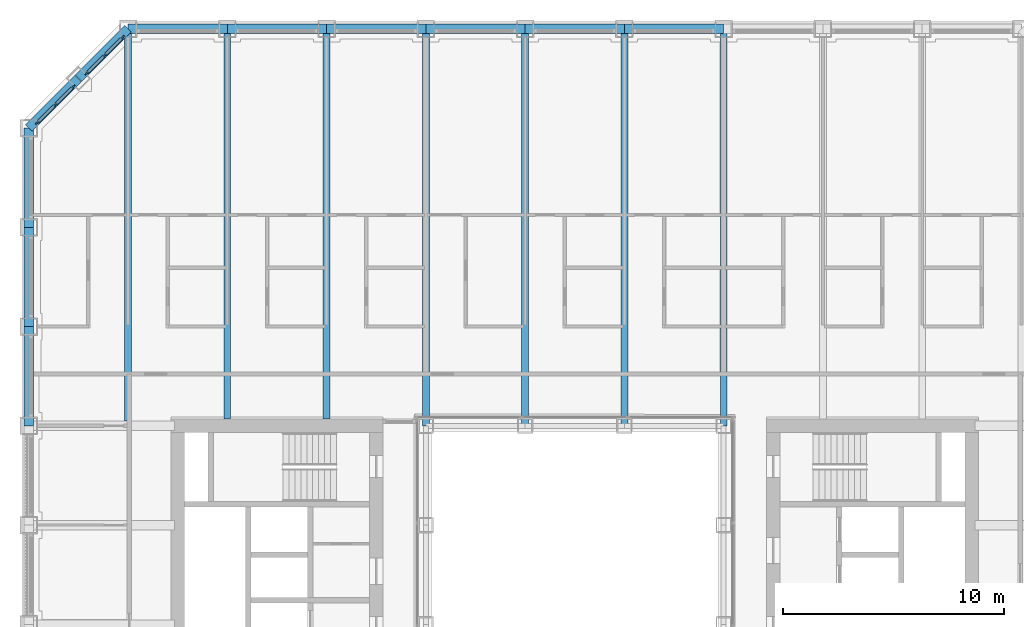
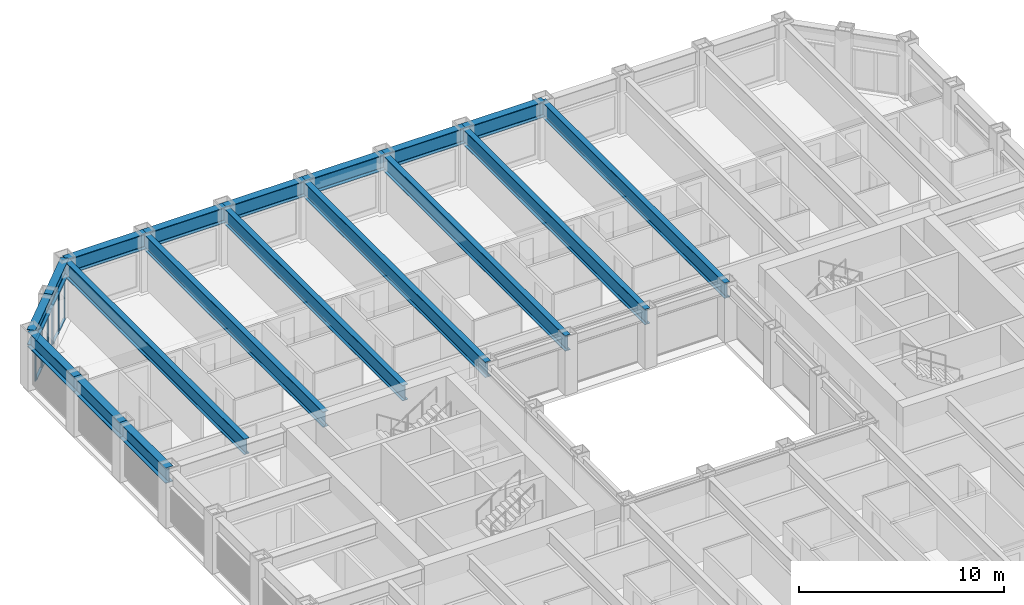
# One storey, part 6 of 21: 18 beams, 14 members, 2 elements without a shape of their own.
"""IFC4 building model written with IfcOpenShell, lengths in metres."""

from ifc_helpers import new_model, si_unit, direction, frame, origin, origin_2d, place, context, subcontext, project, spatial, rectangle, i_section, extrude, material, material_profile, profile_set, type_object, element, aggregate, save


model = new_model("IFC4")

# Units and contexts
model_context = context("Model", 3, precision=1e-05, world=origin(), true_north=direction((0.0, 1.0)))
body_context = subcontext(model_context, "Body", "Model", "MODEL_VIEW")
ifc_project = project(units=[si_unit("LENGTHUNIT", "METRE"), si_unit("AREAUNIT", "SQUARE_METRE"), si_unit("VOLUMEUNIT", "CUBIC_METRE"), si_unit("PLANEANGLEUNIT", "RADIAN"), si_unit("MASSUNIT", "GRAM", prefix="KILO")], contexts=[model_context])

# Site, building, storey
site_placement = place(None, origin())
site = spatial("IfcSite", under=ifc_project, at=site_placement, CompositionType="ELEMENT")
building_placement = place(site_placement, origin())
building = spatial("IfcBuilding", under=site, at=building_placement, Name="Msasa Ring Tower", CompositionType="ELEMENT")
storey_placement = place(building_placement, frame((0.0, 0.0, 89.5)))
storey = spatial("IfcBuildingStorey", under=building, at=storey_placement, Name="L23", CompositionType="ELEMENT", Elevation=89.5)

# Curtain wall, members
ifc_material_1 = material(Name="Aluminium curtain wall with clear glass", Category="aluminium")
curtain_wall_type = type_object("IfcCurtainWallType", Name="CW-C CHAMFER CORNER CURTAIN WALL", PredefinedType="NOTDEFINED", material=ifc_material_1)
curtain_wall_1_placement = place(storey_placement, origin())
curtain_wall_1 = element("IfcCurtainWall", 1, at=curtain_wall_1_placement, inside=storey, type_object=curtain_wall_type, Name="Chamfer corner curtain wall NW L23", PredefinedType="NOTDEFINED")
ifc_material_2 = material(Name="Aluminium mullion", Category="aluminium")
ifc_material_profile_1 = material_profile(ifc_material_2, rectangle(XDim=0.06494140625, YDim=0.179931640625, at=origin_2d()), Name="AL 65x180")
ifc_profile_set_1 = profile_set([ifc_material_profile_1], Name="Aluminium mullion")
member_type_1 = type_object("IfcMemberType", Name="CW-C MULLION 65x180", PredefinedType="MULLION", material=ifc_profile_set_1)
member_1_placement = place(storey_placement, frame((-22.73876953125, 22.119873046875, 0.0), z_axis=(0.0, 0.0, 1.0), x_axis=(0.707106781187, -0.707106781187, 0.0)))
member_1 = element("IfcMember", 2, at=member_1_placement, type_object=member_type_1, Name="CW-C mullion 1", PredefinedType="MULLION", context=body_context, shape_type="SweptSolid", body=[
    extrude(rectangle(XDim=0.06494140625, YDim=0.179931640625, at=origin_2d()), origin(), (0.0, 0.0, 1.0), 2.37890625),
])
member_2_placement = place(storey_placement, frame((-23.55419921875, 21.30419921875, 0.0), z_axis=(0.0, 0.0, 1.0), x_axis=(0.707106781187, -0.707106781187, 0.0)))
member_2 = element("IfcMember", 3, at=member_2_placement, type_object=member_type_1, Name="CW-C mullion 2", PredefinedType="MULLION", context=body_context, shape_type="SweptSolid", body=[
    extrude(rectangle(XDim=0.06494140625, YDim=0.179931640625, at=origin_2d()), origin(), (0.0, 0.0, 1.0), 2.37890625),
])
member_3_placement = place(storey_placement, frame((-24.369873046875, 20.48876953125, 0.0), z_axis=(0.0, 0.0, 1.0), x_axis=(0.707106781187, -0.707106781187, 0.0)))
member_3 = element("IfcMember", 4, at=member_3_placement, type_object=member_type_1, Name="CW-C mullion 3", PredefinedType="MULLION", context=body_context, shape_type="SweptSolid", body=[
    extrude(rectangle(XDim=0.06494140625, YDim=0.179931640625, at=origin_2d()), origin(), (0.0, 0.0, 1.0), 2.37890625),
])

curtain_wall_2_placement = place(storey_placement, origin())
curtain_wall_2 = element("IfcCurtainWall", 5, at=curtain_wall_2_placement, inside=storey, type_object=curtain_wall_type, Name="Chamfer corner curtain wall NW L23", PredefinedType="NOTDEFINED")
member_4_placement = place(storey_placement, frame((-20.48876953125, 24.369873046875, 0.0), z_axis=(0.0, 0.0, 1.0), x_axis=(0.707106781187, -0.707106781187, 0.0)))
member_4 = element("IfcMember", 6, at=member_4_placement, type_object=member_type_1, Name="CW-C mullion 1", PredefinedType="MULLION", context=body_context, shape_type="SweptSolid", body=[
    extrude(rectangle(XDim=0.06494140625, YDim=0.179931640625, at=origin_2d()), origin(), (0.0, 0.0, 1.0), 2.37890625),
])
member_5_placement = place(storey_placement, frame((-21.30419921875, 23.55419921875, 0.0), z_axis=(0.0, 0.0, 1.0), x_axis=(0.707106781187, -0.707106781187, 0.0)))
member_5 = element("IfcMember", 7, at=member_5_placement, type_object=member_type_1, Name="CW-C mullion 2", PredefinedType="MULLION", context=body_context, shape_type="SweptSolid", body=[
    extrude(rectangle(XDim=0.06494140625, YDim=0.179931640625, at=origin_2d()), origin(), (0.0, 0.0, 1.0), 2.37890625),
])
member_6_placement = place(storey_placement, frame((-22.119873046875, 22.73876953125, 0.0), z_axis=(0.0, 0.0, 1.0), x_axis=(0.707106781187, -0.707106781187, 0.0)))
member_6 = element("IfcMember", 8, at=member_6_placement, type_object=member_type_1, Name="CW-C mullion 3", PredefinedType="MULLION", context=body_context, shape_type="SweptSolid", body=[
    extrude(rectangle(XDim=0.06494140625, YDim=0.179931640625, at=origin_2d()), origin(), (0.0, 0.0, 1.0), 2.37890625),
])

# Member
ifc_material_3 = material(Name="Aluminium transom", Category="aluminium")
ifc_material_profile_2 = material_profile(ifc_material_3, rectangle(XDim=0.139892578125, YDim=0.06494140625, at=origin_2d()), Name="AL 65x140")
ifc_profile_set_2 = profile_set([ifc_material_profile_2], Name="Aluminium transom")
member_type_2 = type_object("IfcMemberType", Name="CW-C TRANSOM 65x140", PredefinedType="USERDEFINED", material=ifc_profile_set_2)
member_7_placement = place(storey_placement, frame((-22.76171875, 22.096923828125, 0.032470703125), z_axis=(-0.707106781187, -0.707106781187, 0.0), x_axis=(0.707106781187, -0.707106781187, 0.0)))
member_7 = element("IfcMember", 9, at=member_7_placement, type_object=member_type_2, Name="CW-C transom 1.1", ObjectType="TRANSOM", PredefinedType="USERDEFINED", context=body_context, shape_type="SweptSolid", body=[
    extrude(rectangle(XDim=0.139892578125, YDim=0.06494140625, at=origin_2d()), origin(), (0.0, 0.0, 1.0), 1.08837890625),
])

member_8_placement = place(storey_placement, frame((-22.76171875, 22.096923828125, 2.346435546875), z_axis=(-0.707106781187, -0.707106781187, 0.0), x_axis=(0.707106781187, -0.707106781187, 0.0)))
member_8 = element("IfcMember", 10, at=member_8_placement, type_object=member_type_2, Name="CW-C transom 1.2", ObjectType="TRANSOM", PredefinedType="USERDEFINED", context=body_context, shape_type="SweptSolid", body=[
    extrude(rectangle(XDim=0.139892578125, YDim=0.06494140625, at=origin_2d()), origin(), (0.0, 0.0, 1.0), 1.08837890625),
])

member_9_placement = place(storey_placement, frame((-23.577392578125, 21.28125, 0.032470703125), z_axis=(-0.707106781187, -0.707106781187, 0.0), x_axis=(0.707106781187, -0.707106781187, 0.0)))
member_9 = element("IfcMember", 11, at=member_9_placement, type_object=member_type_2, Name="CW-C transom 2.1", ObjectType="TRANSOM", PredefinedType="USERDEFINED", context=body_context, shape_type="SweptSolid", body=[
    extrude(rectangle(XDim=0.139892578125, YDim=0.06494140625, at=origin_2d()), origin(), (0.0, 0.0, 1.0), 1.08837890625),
])

member_10_placement = place(storey_placement, frame((-23.577392578125, 21.28125, 2.346435546875), z_axis=(-0.707106781187, -0.707106781187, 0.0), x_axis=(0.707106781187, -0.707106781187, 0.0)))
member_10 = element("IfcMember", 12, at=member_10_placement, type_object=member_type_2, Name="CW-C transom 2.2", ObjectType="TRANSOM", PredefinedType="USERDEFINED", context=body_context, shape_type="SweptSolid", body=[
    extrude(rectangle(XDim=0.139892578125, YDim=0.06494140625, at=origin_2d()), origin(), (0.0, 0.0, 1.0), 1.08837890625),
])

aggregate(curtain_wall_1, [member_1, member_2, member_3, member_7, member_8, member_9, member_10])

member_11_placement = place(storey_placement, frame((-20.51171875, 24.346923828125, 0.032470703125), z_axis=(-0.707106781187, -0.707106781187, 0.0), x_axis=(0.707106781187, -0.707106781187, 0.0)))
member_11 = element("IfcMember", 13, at=member_11_placement, type_object=member_type_2, Name="CW-C transom 1.1", ObjectType="TRANSOM", PredefinedType="USERDEFINED", context=body_context, shape_type="SweptSolid", body=[
    extrude(rectangle(XDim=0.139892578125, YDim=0.06494140625, at=origin_2d()), origin(), (0.0, 0.0, 1.0), 1.08837890625),
])

member_12_placement = place(storey_placement, frame((-20.51171875, 24.346923828125, 2.346435546875), z_axis=(-0.707106781187, -0.707106781187, 0.0), x_axis=(0.707106781187, -0.707106781187, 0.0)))
member_12 = element("IfcMember", 14, at=member_12_placement, type_object=member_type_2, Name="CW-C transom 1.2", ObjectType="TRANSOM", PredefinedType="USERDEFINED", context=body_context, shape_type="SweptSolid", body=[
    extrude(rectangle(XDim=0.139892578125, YDim=0.06494140625, at=origin_2d()), origin(), (0.0, 0.0, 1.0), 1.08837890625),
])

member_13_placement = place(storey_placement, frame((-21.327392578125, 23.53125, 0.032470703125), z_axis=(-0.707106781187, -0.707106781187, 0.0), x_axis=(0.707106781187, -0.707106781187, 0.0)))
member_13 = element("IfcMember", 15, at=member_13_placement, type_object=member_type_2, Name="CW-C transom 2.1", ObjectType="TRANSOM", PredefinedType="USERDEFINED", context=body_context, shape_type="SweptSolid", body=[
    extrude(rectangle(XDim=0.139892578125, YDim=0.06494140625, at=origin_2d()), origin(), (0.0, 0.0, 1.0), 1.08837890625),
])

member_14_placement = place(storey_placement, frame((-21.327392578125, 23.53125, 2.346435546875), z_axis=(-0.707106781187, -0.707106781187, 0.0), x_axis=(0.707106781187, -0.707106781187, 0.0)))
member_14 = element("IfcMember", 16, at=member_14_placement, type_object=member_type_2, Name="CW-C transom 2.2", ObjectType="TRANSOM", PredefinedType="USERDEFINED", context=body_context, shape_type="SweptSolid", body=[
    extrude(rectangle(XDim=0.139892578125, YDim=0.06494140625, at=origin_2d()), origin(), (0.0, 0.0, 1.0), 1.08837890625),
])

aggregate(curtain_wall_2, [member_4, member_5, member_6, member_11, member_12, member_13, member_14])

# Beams
ifc_material_4 = material(Name="Steel S355", Category="steel")
ifc_material_profile_3 = material_profile(ifc_material_4, i_section(OverallWidth=0.3076171875, OverallDepth=0.926513671875, WebThickness=0.01953125, FlangeThickness=0.031982421875, FilletRadius=0.01904296875, at=origin_2d()), Name="UB 914x305x289")
ifc_profile_set_3 = profile_set([ifc_material_profile_3], Name="Steel S355")
beam_type_1 = type_object("IfcBeamType", Name="FB3 UB 914x305x289", PredefinedType="BEAM", material=ifc_profile_set_3)
beam_placement = place(storey_placement, frame((-20.25, 24.75, 2.836669921875), z_axis=(0.0, -1.0, 0.0), x_axis=(1.0, 0.0, 0.0)))
element("IfcBeam", 17, at=beam_placement, inside=storey, type_object=beam_type_1, Name="Floor beam N-20.25 under L24", PredefinedType="BEAM", context=body_context, shape_type="SweptSolid", body=[
    extrude(i_section(OverallWidth=0.3076171875, OverallDepth=0.926513671875, WebThickness=0.01953125, FlangeThickness=0.031982421875, FilletRadius=0.01904296875, at=origin_2d()), origin(), (0.0, 0.0, 1.0), 17.789794921875),
])
for number, where, z_axis, x_axis, name in (
    (18, (-15.75, 24.75, 2.836669921875), (0.0, -1.0, 0.0), (1.0, 0.0, 0.0), "Floor beam N-15.75 under L24"),
    (19, (-11.25, 24.75, 2.836669921875), (0.0, -1.0, 0.0), (1.0, 0.0, 0.0), "Floor beam N-11.25 under L24"),
):
    element("IfcBeam", number, at=place(storey_placement, frame(where, z_axis=z_axis, x_axis=x_axis)), inside=storey, type_object=beam_type_1, Name=name, PredefinedType="BEAM", context=body_context, shape_type="SweptSolid", body=[
        extrude(i_section(OverallWidth=0.3076171875, OverallDepth=0.926513671875, WebThickness=0.01953125, FlangeThickness=0.031982421875, FilletRadius=0.01904296875, at=origin_2d()), origin(), (0.0, 0.0, 1.0), 17.699951171875),
    ])
for number, where, z_axis, x_axis, name in (
    (20, (-6.75, 24.75, 2.836669921875), (0.0, -1.0, 0.0), (1.0, 0.0, 0.0), "Floor beam N-6.75 under L24"),
    (21, (-2.25, 24.75, 2.836669921875), (0.0, -1.0, 0.0), (1.0, 0.0, 0.0), "Floor beam N-2.25 under L24"),
    (22, (2.25, 24.75, 2.836669921875), (0.0, -1.0, 0.0), (1.0, 0.0, 0.0), "Floor beam N+2.25 under L24"),
    (23, (6.75, 24.75, 2.836669921875), (0.0, -1.0, 0.0), (1.0, 0.0, 0.0), "Floor beam N+6.75 under L24"),
):
    element("IfcBeam", number, at=place(storey_placement, frame(where, z_axis=z_axis, x_axis=x_axis)), inside=storey, type_object=beam_type_1, Name=name, PredefinedType="BEAM", context=body_context, shape_type="SweptSolid", body=[
        extrude(i_section(OverallWidth=0.3076171875, OverallDepth=0.926513671875, WebThickness=0.01953125, FlangeThickness=0.031982421875, FilletRadius=0.01904296875, at=origin_2d()), origin(), (0.0, 0.0, 1.0), 18.0),
    ])
ifc_material_5 = material(Name="Steel S355", Category="steel")
ifc_material_profile_4 = material_profile(ifc_material_5, i_section(OverallWidth=0.42041015625, OverallDepth=0.9208984375, WebThickness=0.021484375, FlangeThickness=0.03662109375, FilletRadius=0.024169921875, at=origin_2d()), Name="UB 914x419x388")
ifc_profile_set_4 = profile_set([ifc_material_profile_4], Name="Steel S355")
beam_type_2 = type_object("IfcBeamType", Name="SB1 UB 914x419x388", PredefinedType="SPANDREL", material=ifc_profile_set_4)
for number, where, z_axis, x_axis, name in (
    (24, (6.75, 24.75, 2.839599609375), (-1.0, 0.0, 0.0), (0.0, -1.0, 0.0), "Spandrel N+6.75 to N+2.25 under L24"),
    (25, (2.25, 24.75, 2.839599609375), (-1.0, 0.0, 0.0), (0.0, -1.0, 0.0), "Spandrel N+2.25 to N-2.25 under L24"),
    (26, (-2.25, 24.75, 2.839599609375), (-1.0, 0.0, 0.0), (0.0, -1.0, 0.0), "Spandrel N-2.25 to N-6.75 under L24"),
    (27, (-6.75, 24.75, 2.839599609375), (-1.0, 0.0, 0.0), (0.0, -1.0, 0.0), "Spandrel N-6.75 to N-11.25 under L24"),
    (28, (-11.25, 24.75, 2.839599609375), (-1.0, 0.0, 0.0), (0.0, -1.0, 0.0), "Spandrel N-11.25 to N-15.75 under L24"),
    (29, (-15.75, 24.75, 2.839599609375), (-1.0, 0.0, 0.0), (0.0, -1.0, 0.0), "Spandrel N-15.75 to N-20.25 under L24"),
):
    element("IfcBeam", number, at=place(storey_placement, frame(where, z_axis=z_axis, x_axis=x_axis)), inside=storey, type_object=beam_type_2, Name=name, PredefinedType="SPANDREL", context=body_context, shape_type="SweptSolid", body=[
        extrude(i_section(OverallWidth=0.42041015625, OverallDepth=0.9208984375, WebThickness=0.021484375, FlangeThickness=0.03662109375, FilletRadius=0.024169921875, at=origin_2d()), origin(), (0.0, 0.0, 1.0), 4.5),
    ])
for number, where, z_axis, x_axis, name in (
    (30, (-20.25, 24.75, 2.839599609375), (-0.707106781187, -0.707106781187, 0.0), (0.707106781187, -0.707106781187, 0.0), "Spandrel N-20.25 to NW under L24"),
    (31, (-22.5, 22.5, 2.839599609375), (-0.707106781187, -0.707106781187, 0.0), (0.707106781187, -0.707106781187, 0.0), "Spandrel NW to W+20.25 under L24"),
):
    element("IfcBeam", number, at=place(storey_placement, frame(where, z_axis=z_axis, x_axis=x_axis)), inside=storey, type_object=beam_type_2, Name=name, PredefinedType="SPANDREL", context=body_context, shape_type="SweptSolid", body=[
        extrude(i_section(OverallWidth=0.42041015625, OverallDepth=0.9208984375, WebThickness=0.021484375, FlangeThickness=0.03662109375, FilletRadius=0.024169921875, at=origin_2d()), origin(), (0.0, 0.0, 1.0), 3.181884765625),
    ])
for number, where, z_axis, x_axis, name in (
    (32, (-24.75, 20.25, 2.839599609375), (0.0, -1.0, 0.0), (1.0, 0.0, 0.0), "Spandrel W+20.25 to W+15.75 under L24"),
    (33, (-24.75, 15.75, 2.839599609375), (0.0, -1.0, 0.0), (1.0, 0.0, 0.0), "Spandrel W+15.75 to W+11.25 under L24"),
    (34, (-24.75, 11.25, 2.839599609375), (0.0, -1.0, 0.0), (1.0, 0.0, 0.0), "Spandrel W+11.25 to W+6.75 under L24"),
):
    element("IfcBeam", number, at=place(storey_placement, frame(where, z_axis=z_axis, x_axis=x_axis)), inside=storey, type_object=beam_type_2, Name=name, PredefinedType="SPANDREL", context=body_context, shape_type="SweptSolid", body=[
        extrude(i_section(OverallWidth=0.42041015625, OverallDepth=0.9208984375, WebThickness=0.021484375, FlangeThickness=0.03662109375, FilletRadius=0.024169921875, at=origin_2d()), origin(), (0.0, 0.0, 1.0), 4.5),
    ])

save(model, "model.ifc")
